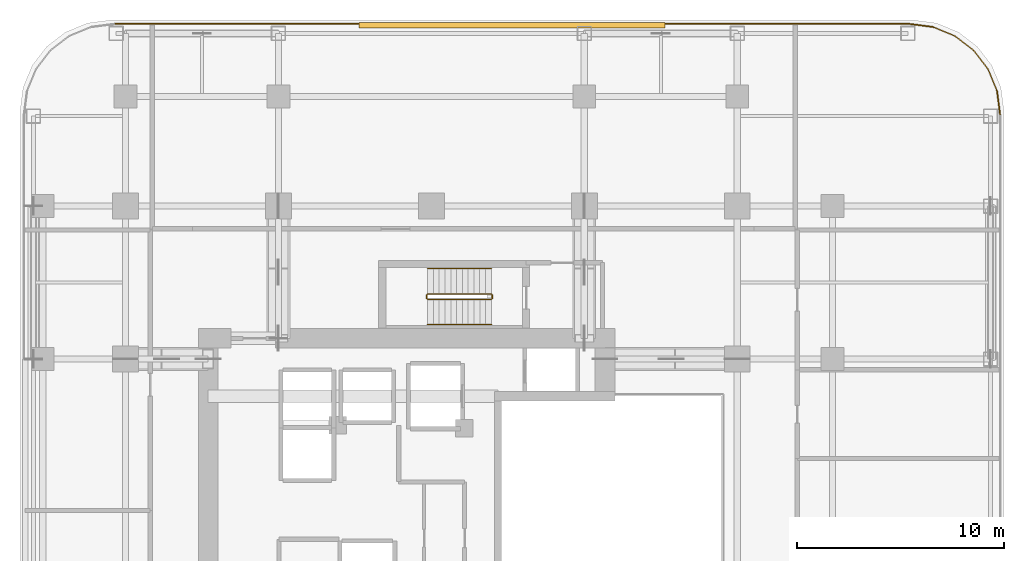
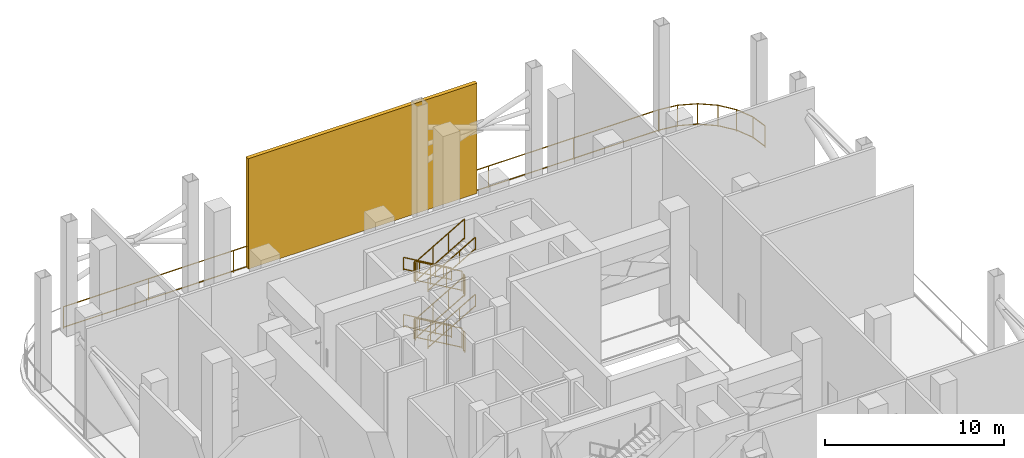
# One storey, part 10 of 10: 19 railings, 1 shading device.
"""IFC4 building model written with IfcOpenShell, lengths in metres."""

from ifc_helpers import new_model, si_unit, direction, frame, origin, origin_2d, place, context, subcontext, project, spatial, rectangle, extrude, material, layer, layer_set, type_object, element, save


model = new_model("IFC4")

# Units and contexts
model_context = context("Model", 3, precision=1e-05, world=origin(), true_north=direction((0.0, 1.0)))
body_context = subcontext(model_context, "Body", "Model", "MODEL_VIEW")
ifc_project = project(units=[si_unit("LENGTHUNIT", "METRE"), si_unit("AREAUNIT", "SQUARE_METRE"), si_unit("VOLUMEUNIT", "CUBIC_METRE"), si_unit("PLANEANGLEUNIT", "RADIAN"), si_unit("MASSUNIT", "GRAM", prefix="KILO")], contexts=[model_context])

# Site, building, storey
site_placement = place(None, origin())
site = spatial("IfcSite", under=ifc_project, at=site_placement, CompositionType="ELEMENT")
building_placement = place(site_placement, origin())
building = spatial("IfcBuilding", under=site, at=building_placement, Name="Khorvyn Point Tower", CompositionType="ELEMENT")
storey_placement = place(building_placement, frame((0.0, 0.0, 156.300048828125)))
storey = spatial("IfcBuildingStorey", under=building, at=storey_placement, Name="L39", CompositionType="ELEMENT", Elevation=156.300048828125)

# Shading device
ifc_material_1 = material(Name="Pale anodised aluminium 6063-T6", Category="aluminium")
ifc_layer = layer(ifc_material_1, 0.25)
ifc_layer_set = layer_set([ifc_layer], Name="Acoustic Hurricane-Louvre Plant Screen")
shading_device_type = type_object("IfcShadingDeviceType", Name="Acoustic Hurricane-Louvre Plant Screen", PredefinedType="JALOUSIE", material=ifc_layer_set)
shading_device_placement = place(storey_placement, frame((3.89990234375, 23.550048828125, 0.02001953125), z_axis=(0.0, 0.0, 1.0), x_axis=(1.0, 0.0, 0.0)))
element("IfcShadingDevice", 1, at=shading_device_placement, inside=storey, type_object=shading_device_type, Name="L39 Acoustic Hurricane Plant Louvre N", PredefinedType="JALOUSIE", context=body_context, shape_type="SweptSolid", body=[
    extrude(rectangle(XDim=14.800048828125, YDim=0.25, at=origin_2d()), origin(), (0.0, 0.0, 1.0), 7.5400390625),
])

# Railings
ifc_material_2 = material(Name="Stainless steel 1.4401", Category="steel")
railing_type_1 = type_object("IfcRailingType", Name="School Terrace Anti-Climb Safety Guardrail 1500", PredefinedType="GUARDRAIL", material=ifc_material_2)
railing_1_placement = place(storey_placement, frame((27.509521484375, 19.244873046875, 0.0)))
element("IfcRailing", 2, at=railing_1_placement, inside=storey, type_object=railing_type_1, Name="L39 Open Wind-Floor Perimeter Guardrail 08", PredefinedType="GUARDRAIL", context=body_context, shape_type="SweptSolid", body=[
    extrude(rectangle(XDim=0.048095703125, YDim=0.048095703125, at=origin_2d()), frame((0.0, 0.0, 1.47607421875), z_axis=(-0.130493312389, 0.991449189531, 0.0), x_axis=(-0.991449189531, -0.130493312389, 0.0)), (0.0, 0.0, 1.0), 1.139404296875),
    extrude(rectangle(XDim=0.048095703125, YDim=0.048095703125, at=origin_2d()), frame((0.0, 0.0, 0.080078125), z_axis=(-0.130493312389, 0.991449189531, 0.0), x_axis=(-0.991449189531, -0.130493312389, 0.0)), (0.0, 0.0, 1.0), 1.139404296875),
    extrude(rectangle(XDim=0.0419921875, YDim=0.0419921875, at=origin_2d()), origin(), (0.0, 0.0, 1.0), 1.451904296875),
    extrude(rectangle(XDim=0.0419921875, YDim=0.0419921875, at=origin_2d()), frame((-0.148681640625, 1.129638671875, 0.0)), (0.0, 0.0, 1.0), 1.451904296875),
])
railing_2_placement = place(storey_placement, frame((27.36083984375, 20.37451171875, 0.0)))
element("IfcRailing", 3, at=railing_2_placement, inside=storey, type_object=railing_type_1, Name="L39 Open Wind-Floor Perimeter Guardrail 09", PredefinedType="GUARDRAIL", context=body_context, shape_type="SweptSolid", body=[
    extrude(rectangle(XDim=0.048095703125, YDim=0.048095703125, at=origin_2d()), frame((0.0, 0.0, 1.47607421875), z_axis=(-0.382667177599, 0.923886265288, 0.0), x_axis=(-0.923886265288, -0.382667177599, 0.0)), (0.0, 0.0, 1.0), 1.139404296875),
    extrude(rectangle(XDim=0.048095703125, YDim=0.048095703125, at=origin_2d()), frame((0.0, 0.0, 0.080078125), z_axis=(-0.382667177599, 0.923886265288, 0.0), x_axis=(-0.923886265288, -0.382667177599, 0.0)), (0.0, 0.0, 1.0), 1.139404296875),
    extrude(rectangle(XDim=0.0419921875, YDim=0.0419921875, at=origin_2d()), origin(), (0.0, 0.0, 1.0), 1.451904296875),
    extrude(rectangle(XDim=0.0419921875, YDim=0.0419921875, at=origin_2d()), frame((-0.43603515625, 1.052734375, 0.0)), (0.0, 0.0, 1.0), 1.451904296875),
])
railing_3_placement = place(storey_placement, frame((26.9248046875, 21.42724609375, 0.0)))
element("IfcRailing", 4, at=railing_3_placement, inside=storey, type_object=railing_type_1, Name="L39 Open Wind-Floor Perimeter Guardrail 10", PredefinedType="GUARDRAIL", context=body_context, shape_type="SweptSolid", body=[
    extrude(rectangle(XDim=0.048095703125, YDim=0.048095703125, at=origin_2d()), frame((0.0, 0.0, 1.47607421875), z_axis=(-0.608705888985, 0.793395954562, 0.0), x_axis=(-0.793395954562, -0.608705888985, 0.0)), (0.0, 0.0, 1.0), 1.139404296875),
    extrude(rectangle(XDim=0.048095703125, YDim=0.048095703125, at=origin_2d()), frame((0.0, 0.0, 0.080078125), z_axis=(-0.608705888985, 0.793395954562, 0.0), x_axis=(-0.793395954562, -0.608705888985, 0.0)), (0.0, 0.0, 1.0), 1.139404296875),
    extrude(rectangle(XDim=0.0419921875, YDim=0.0419921875, at=origin_2d()), origin(), (0.0, 0.0, 1.0), 1.451904296875),
    extrude(rectangle(XDim=0.0419921875, YDim=0.0419921875, at=origin_2d()), frame((-0.693603515625, 0.904052734375, 0.0)), (0.0, 0.0, 1.0), 1.451904296875),
])
railing_4_placement = place(storey_placement, frame((26.231201171875, 22.331298828125, 0.0)))
element("IfcRailing", 5, at=railing_4_placement, inside=storey, type_object=railing_type_1, Name="L39 Open Wind-Floor Perimeter Guardrail 11", PredefinedType="GUARDRAIL", context=body_context, shape_type="SweptSolid", body=[
    extrude(rectangle(XDim=0.048095703125, YDim=0.048095703125, at=origin_2d()), frame((0.0, 0.0, 1.47607421875), z_axis=(-0.793395954562, 0.608705888985, 0.0), x_axis=(-0.608705888985, -0.793395954562, 0.0)), (0.0, 0.0, 1.0), 1.139404296875),
    extrude(rectangle(XDim=0.048095703125, YDim=0.048095703125, at=origin_2d()), frame((0.0, 0.0, 0.080078125), z_axis=(-0.793395954562, 0.608705888985, 0.0), x_axis=(-0.608705888985, -0.793395954562, 0.0)), (0.0, 0.0, 1.0), 1.139404296875),
    extrude(rectangle(XDim=0.0419921875, YDim=0.0419921875, at=origin_2d()), origin(), (0.0, 0.0, 1.0), 1.451904296875),
    extrude(rectangle(XDim=0.0419921875, YDim=0.0419921875, at=origin_2d()), frame((-0.904052734375, 0.693603515625, 0.0)), (0.0, 0.0, 1.0), 1.451904296875),
])
railing_5_placement = place(storey_placement, frame((25.3271484375, 23.02490234375, 0.0)))
element("IfcRailing", 6, at=railing_5_placement, inside=storey, type_object=railing_type_1, Name="L39 Open Wind-Floor Perimeter Guardrail 12", PredefinedType="GUARDRAIL", context=body_context, shape_type="SweptSolid", body=[
    extrude(rectangle(XDim=0.048095703125, YDim=0.048095703125, at=origin_2d()), frame((0.0, 0.0, 1.47607421875), z_axis=(-0.923886265288, 0.382667177599, 0.0), x_axis=(-0.382667177599, -0.923886265288, 0.0)), (0.0, 0.0, 1.0), 1.139404296875),
    extrude(rectangle(XDim=0.048095703125, YDim=0.048095703125, at=origin_2d()), frame((0.0, 0.0, 0.080078125), z_axis=(-0.923886265288, 0.382667177599, 0.0), x_axis=(-0.382667177599, -0.923886265288, 0.0)), (0.0, 0.0, 1.0), 1.139404296875),
    extrude(rectangle(XDim=0.0419921875, YDim=0.0419921875, at=origin_2d()), origin(), (0.0, 0.0, 1.0), 1.451904296875),
    extrude(rectangle(XDim=0.0419921875, YDim=0.0419921875, at=origin_2d()), frame((-1.052734375, 0.43603515625, 0.0)), (0.0, 0.0, 1.0), 1.451904296875),
])
railing_6_placement = place(storey_placement, frame((24.2744140625, 23.4609375, 0.0)))
element("IfcRailing", 7, at=railing_6_placement, inside=storey, type_object=railing_type_1, Name="L39 Open Wind-Floor Perimeter Guardrail 13", PredefinedType="GUARDRAIL", context=body_context, shape_type="SweptSolid", body=[
    extrude(rectangle(XDim=0.048095703125, YDim=0.048095703125, at=origin_2d()), frame((0.0, 0.0, 1.47607421875), z_axis=(-0.991449189531, 0.130493312389, 0.0), x_axis=(-0.130493312389, -0.991449189531, 0.0)), (0.0, 0.0, 1.0), 1.139404296875),
    extrude(rectangle(XDim=0.048095703125, YDim=0.048095703125, at=origin_2d()), frame((0.0, 0.0, 0.080078125), z_axis=(-0.991449189531, 0.130493312389, 0.0), x_axis=(-0.130493312389, -0.991449189531, 0.0)), (0.0, 0.0, 1.0), 1.139404296875),
    extrude(rectangle(XDim=0.0419921875, YDim=0.0419921875, at=origin_2d()), origin(), (0.0, 0.0, 1.0), 1.451904296875),
    extrude(rectangle(XDim=0.0419921875, YDim=0.0419921875, at=origin_2d()), frame((-1.129638671875, 0.148681640625, 0.0)), (0.0, 0.0, 1.0), 1.451904296875),
])
railing_7_placement = place(storey_placement, frame((23.144775390625, 23.609619140625, 0.0)))
element("IfcRailing", 8, at=railing_7_placement, inside=storey, type_object=railing_type_1, Name="L39 Open Wind-Floor Perimeter Guardrail 14", PredefinedType="GUARDRAIL", context=body_context, shape_type="SweptSolid", body=[
    extrude(rectangle(XDim=0.048095703125, YDim=0.048095703125, at=origin_2d()), frame((0.0, 0.0, 1.47607421875), z_axis=(-1.0, 0.0, 0.0), x_axis=(0.0, -1.0, 0.0)), (0.0, 0.0, 1.0), 38.489501953125),
    extrude(rectangle(XDim=0.048095703125, YDim=0.048095703125, at=origin_2d()), frame((0.0, 0.0, 0.080078125), z_axis=(-1.0, 0.0, 0.0), x_axis=(0.0, -1.0, 0.0)), (0.0, 0.0, 1.0), 38.489501953125),
    extrude(rectangle(XDim=0.0419921875, YDim=0.0419921875, at=origin_2d()), origin(), (0.0, 0.0, 1.0), 1.451904296875),
    extrude(rectangle(XDim=0.0419921875, YDim=0.0419921875, at=origin_2d()), frame((-5.49853515625, 0.0, 0.0)), (0.0, 0.0, 1.0), 1.451904296875),
    extrude(rectangle(XDim=0.0419921875, YDim=0.0419921875, at=origin_2d()), frame((-10.9970703125, 0.0, 0.0)), (0.0, 0.0, 1.0), 1.451904296875),
    extrude(rectangle(XDim=0.0419921875, YDim=0.0419921875, at=origin_2d()), frame((-16.49560546875, 0.0, 0.0)), (0.0, 0.0, 1.0), 1.451904296875),
    extrude(rectangle(XDim=0.0419921875, YDim=0.0419921875, at=origin_2d()), frame((-21.993896484375, 0.0, 0.0)), (0.0, 0.0, 1.0), 1.451904296875),
    extrude(rectangle(XDim=0.0419921875, YDim=0.0419921875, at=origin_2d()), frame((-27.492431640625, 0.0, 0.0)), (0.0, 0.0, 1.0), 1.451904296875),
    extrude(rectangle(XDim=0.0419921875, YDim=0.0419921875, at=origin_2d()), frame((-32.990966796875, 0.0, 0.0)), (0.0, 0.0, 1.0), 1.451904296875),
    extrude(rectangle(XDim=0.0419921875, YDim=0.0419921875, at=origin_2d()), frame((-38.489501953125, 0.0, 0.0)), (0.0, 0.0, 1.0), 1.451904296875),
])
ifc_material_3 = material(Name="Stainless steel 1.4301", Category="steel")
railing_type_2 = type_object("IfcRailingType", Name="Stainless Steel 304 Stair Pitch Handrail 900", PredefinedType="HANDRAIL", material=ifc_material_3)
railing_8_placement = place(storey_placement, frame((2.89990234375, 11.77001953125, 0.162353515625)))
element("IfcRailing", 9, at=railing_8_placement, inside=storey, type_object=railing_type_2, Name="L39 ST-02 stair handrail 1", PredefinedType="HANDRAIL", context=body_context, shape_type="SweptSolid", body=[
    extrude(rectangle(XDim=0.048095703125, YDim=0.048095703125, at=origin_2d()), frame((0.0, 0.0, 0.8759765625), z_axis=(-0.864873446163, 0.0, 0.501989962173), x_axis=(0.0, -1.0, 0.0)), (0.0, 0.0, 1.0), 3.56103515625),
    extrude(rectangle(XDim=0.048095703125, YDim=0.048095703125, at=origin_2d()), frame((0.0, 0.0, 0.080078125), z_axis=(-0.864873446163, 0.0, 0.501989962173), x_axis=(0.0, -1.0, 0.0)), (0.0, 0.0, 1.0), 3.56103515625),
    extrude(rectangle(XDim=0.0419921875, YDim=0.0419921875, at=origin_2d()), origin(), (0.0, 0.0, 1.0), 0.851806640625),
    extrude(rectangle(XDim=0.0419921875, YDim=0.0419921875, at=origin_2d()), frame((-1.026611328125, 0.0, 0.595947265625)), (0.0, 0.0, 1.0), 0.851806640625),
    extrude(rectangle(XDim=0.0419921875, YDim=0.0419921875, at=origin_2d()), frame((-2.05322265625, 0.0, 1.191650390625)), (0.0, 0.0, 1.0), 0.851806640625),
    extrude(rectangle(XDim=0.0419921875, YDim=0.0419921875, at=origin_2d()), frame((-3.079833984375, 0.0, 1.78759765625)), (0.0, 0.0, 1.0), 0.851806640625),
])
railing_9_placement = place(storey_placement, frame((-0.179931640625, 9.070068359375, 2.112548828125)))
element("IfcRailing", 10, at=railing_9_placement, inside=storey, type_object=railing_type_2, Name="L39 ST-02 stair handrail 2", PredefinedType="HANDRAIL", context=body_context, shape_type="SweptSolid", body=[
    extrude(rectangle(XDim=0.048095703125, YDim=0.048095703125, at=origin_2d()), frame((0.0, 0.0, 0.8759765625), z_axis=(0.864903211148, 0.0, 0.501938676878), x_axis=(0.0, 1.0, 0.0)), (0.0, 0.0, 1.0), 3.560791015625),
    extrude(rectangle(XDim=0.048095703125, YDim=0.048095703125, at=origin_2d()), frame((0.0, 0.0, 0.080078125), z_axis=(0.864903211148, 0.0, 0.501938676878), x_axis=(0.0, 1.0, 0.0)), (0.0, 0.0, 1.0), 3.560791015625),
    extrude(rectangle(XDim=0.0419921875, YDim=0.0419921875, at=origin_2d()), origin(), (0.0, 0.0, 1.0), 0.851806640625),
    extrude(rectangle(XDim=0.0419921875, YDim=0.0419921875, at=origin_2d()), frame((1.026611328125, 0.0, 0.595703125)), (0.0, 0.0, 1.0), 0.851806640625),
    extrude(rectangle(XDim=0.0419921875, YDim=0.0419921875, at=origin_2d()), frame((2.05322265625, 0.0, 1.191650390625)), (0.0, 0.0, 1.0), 0.851806640625),
    extrude(rectangle(XDim=0.0419921875, YDim=0.0419921875, at=origin_2d()), frame((3.079833984375, 0.0, 1.787353515625)), (0.0, 0.0, 1.0), 0.851806640625),
])
railing_10_placement = place(storey_placement, frame((2.89990234375, 11.77001953125, 4.0625)))
element("IfcRailing", 11, at=railing_10_placement, inside=storey, type_object=railing_type_2, Name="L39 ST-02 stair handrail 3", PredefinedType="HANDRAIL", context=body_context, shape_type="SweptSolid", body=[
    extrude(rectangle(XDim=0.048095703125, YDim=0.048095703125, at=origin_2d()), frame((0.0, 0.0, 0.8759765625), z_axis=(-0.864903211148, 0.0, 0.501938676878), x_axis=(0.0, -1.0, 0.0)), (0.0, 0.0, 1.0), 3.560791015625),
    extrude(rectangle(XDim=0.048095703125, YDim=0.048095703125, at=origin_2d()), frame((0.0, 0.0, 0.080078125), z_axis=(-0.864903211148, 0.0, 0.501938676878), x_axis=(0.0, -1.0, 0.0)), (0.0, 0.0, 1.0), 3.560791015625),
    extrude(rectangle(XDim=0.0419921875, YDim=0.0419921875, at=origin_2d()), origin(), (0.0, 0.0, 1.0), 0.851806640625),
    extrude(rectangle(XDim=0.0419921875, YDim=0.0419921875, at=origin_2d()), frame((-1.026611328125, 0.0, 0.595703125)), (0.0, 0.0, 1.0), 0.851806640625),
    extrude(rectangle(XDim=0.0419921875, YDim=0.0419921875, at=origin_2d()), frame((-2.05322265625, 0.0, 1.191650390625)), (0.0, 0.0, 1.0), 0.851806640625),
    extrude(rectangle(XDim=0.0419921875, YDim=0.0419921875, at=origin_2d()), frame((-3.079833984375, 0.0, 1.787353515625)), (0.0, 0.0, 1.0), 0.851806640625),
])
railing_11_placement = place(storey_placement, frame((-0.179931640625, 9.070068359375, 6.012451171875)))
element("IfcRailing", 12, at=railing_11_placement, inside=storey, type_object=railing_type_2, Name="L39 ST-02 stair handrail 4", PredefinedType="HANDRAIL", context=body_context, shape_type="SweptSolid", body=[
    extrude(rectangle(XDim=0.048095703125, YDim=0.048095703125, at=origin_2d()), frame((0.0, 0.0, 0.8759765625), z_axis=(0.864873446163, 0.0, 0.501989962173), x_axis=(0.0, 1.0, 0.0)), (0.0, 0.0, 1.0), 3.56103515625),
    extrude(rectangle(XDim=0.048095703125, YDim=0.048095703125, at=origin_2d()), frame((0.0, 0.0, 0.080078125), z_axis=(0.864873446163, 0.0, 0.501989962173), x_axis=(0.0, 1.0, 0.0)), (0.0, 0.0, 1.0), 3.56103515625),
    extrude(rectangle(XDim=0.0419921875, YDim=0.0419921875, at=origin_2d()), origin(), (0.0, 0.0, 1.0), 0.851806640625),
    extrude(rectangle(XDim=0.0419921875, YDim=0.0419921875, at=origin_2d()), frame((1.026611328125, 0.0, 0.595947265625)), (0.0, 0.0, 1.0), 0.851806640625),
    extrude(rectangle(XDim=0.0419921875, YDim=0.0419921875, at=origin_2d()), frame((2.05322265625, 0.0, 1.191650390625)), (0.0, 0.0, 1.0), 0.851806640625),
    extrude(rectangle(XDim=0.0419921875, YDim=0.0419921875, at=origin_2d()), frame((3.079833984375, 0.0, 1.78759765625)), (0.0, 0.0, 1.0), 0.851806640625),
])
railing_type_3 = type_object("IfcRailingType", Name="Stainless Steel 304 Stair Well Guardrail 1400", PredefinedType="GUARDRAIL", material=ifc_material_3)
railing_12_placement = place(storey_placement, frame((2.89990234375, 10.550048828125, 0.162353515625)))
element("IfcRailing", 13, at=railing_12_placement, inside=storey, type_object=railing_type_3, Name="L39 ST-02 stair guard 1", PredefinedType="GUARDRAIL", context=body_context, shape_type="SweptSolid", body=[
    extrude(rectangle(XDim=0.048095703125, YDim=0.048095703125, at=origin_2d()), frame((0.0, 0.0, 1.3759765625), z_axis=(-0.864873446163, 0.0, 0.501989962173), x_axis=(0.0, -1.0, 0.0)), (0.0, 0.0, 1.0), 3.56103515625),
    extrude(rectangle(XDim=0.048095703125, YDim=0.048095703125, at=origin_2d()), frame((0.0, 0.0, 0.080078125), z_axis=(-0.864873446163, 0.0, 0.501989962173), x_axis=(0.0, -1.0, 0.0)), (0.0, 0.0, 1.0), 3.56103515625),
    extrude(rectangle(XDim=0.0419921875, YDim=0.0419921875, at=origin_2d()), origin(), (0.0, 0.0, 1.0), 1.351806640625),
    extrude(rectangle(XDim=0.0419921875, YDim=0.0419921875, at=origin_2d()), frame((-1.026611328125, 0.0, 0.595947265625)), (0.0, 0.0, 1.0), 1.351806640625),
    extrude(rectangle(XDim=0.0419921875, YDim=0.0419921875, at=origin_2d()), frame((-2.05322265625, 0.0, 1.191650390625)), (0.0, 0.0, 1.0), 1.351806640625),
    extrude(rectangle(XDim=0.0419921875, YDim=0.0419921875, at=origin_2d()), frame((-3.079833984375, 0.0, 1.78759765625)), (0.0, 0.0, 1.0), 1.351806640625),
])
railing_13_placement = place(storey_placement, frame((-0.22998046875, 10.5, 1.949951171875)))
element("IfcRailing", 14, at=railing_13_placement, inside=storey, type_object=railing_type_3, Name="L39 ST-02 stair guard 2", PredefinedType="GUARDRAIL", context=body_context, shape_type="SweptSolid", body=[
    extrude(rectangle(XDim=0.048095703125, YDim=0.048095703125, at=origin_2d()), frame((0.0, 0.0, 1.3759765625), z_axis=(0.0, -1.0, 0.0), x_axis=(1.0, 0.0, 0.0)), (0.0, 0.0, 1.0), 0.159912109375),
    extrude(rectangle(XDim=0.048095703125, YDim=0.048095703125, at=origin_2d()), frame((0.0, 0.0, 0.080078125), z_axis=(0.0, -1.0, 0.0), x_axis=(1.0, 0.0, 0.0)), (0.0, 0.0, 1.0), 0.159912109375),
    extrude(rectangle(XDim=0.0419921875, YDim=0.0419921875, at=origin_2d()), origin(), (0.0, 0.0, 1.0), 1.351806640625),
    extrude(rectangle(XDim=0.0419921875, YDim=0.0419921875, at=origin_2d()), frame((0.0, -0.159912109375, 0.0)), (0.0, 0.0, 1.0), 1.351806640625),
])
railing_14_placement = place(storey_placement, frame((-0.179931640625, 10.2900390625, 2.112548828125)))
element("IfcRailing", 15, at=railing_14_placement, inside=storey, type_object=railing_type_3, Name="L39 ST-02 stair guard 3", PredefinedType="GUARDRAIL", context=body_context, shape_type="SweptSolid", body=[
    extrude(rectangle(XDim=0.048095703125, YDim=0.048095703125, at=origin_2d()), frame((0.0, 0.0, 1.3759765625), z_axis=(0.864903211148, 0.0, 0.501938676878), x_axis=(0.0, 1.0, 0.0)), (0.0, 0.0, 1.0), 3.560791015625),
    extrude(rectangle(XDim=0.048095703125, YDim=0.048095703125, at=origin_2d()), frame((0.0, 0.0, 0.080078125), z_axis=(0.864903211148, 0.0, 0.501938676878), x_axis=(0.0, 1.0, 0.0)), (0.0, 0.0, 1.0), 3.560791015625),
    extrude(rectangle(XDim=0.0419921875, YDim=0.0419921875, at=origin_2d()), origin(), (0.0, 0.0, 1.0), 1.351806640625),
    extrude(rectangle(XDim=0.0419921875, YDim=0.0419921875, at=origin_2d()), frame((1.026611328125, 0.0, 0.595703125)), (0.0, 0.0, 1.0), 1.351806640625),
    extrude(rectangle(XDim=0.0419921875, YDim=0.0419921875, at=origin_2d()), frame((2.05322265625, 0.0, 1.191650390625)), (0.0, 0.0, 1.0), 1.351806640625),
    extrude(rectangle(XDim=0.0419921875, YDim=0.0419921875, at=origin_2d()), frame((3.079833984375, 0.0, 1.787353515625)), (0.0, 0.0, 1.0), 1.351806640625),
])
railing_15_placement = place(storey_placement, frame((2.949951171875, 10.5, 3.89990234375)))
element("IfcRailing", 16, at=railing_15_placement, inside=storey, type_object=railing_type_3, Name="L39 ST-02 stair guard 4", PredefinedType="GUARDRAIL", context=body_context, shape_type="SweptSolid", body=[
    extrude(rectangle(XDim=0.048095703125, YDim=0.048095703125, at=origin_2d()), frame((0.0, 0.0, 1.3759765625), z_axis=(0.0, -1.0, 0.0), x_axis=(1.0, 0.0, 0.0)), (0.0, 0.0, 1.0), 0.159912109375),
    extrude(rectangle(XDim=0.048095703125, YDim=0.048095703125, at=origin_2d()), frame((0.0, 0.0, 0.080078125), z_axis=(0.0, -1.0, 0.0), x_axis=(1.0, 0.0, 0.0)), (0.0, 0.0, 1.0), 0.159912109375),
    extrude(rectangle(XDim=0.0419921875, YDim=0.0419921875, at=origin_2d()), origin(), (0.0, 0.0, 1.0), 1.351806640625),
    extrude(rectangle(XDim=0.0419921875, YDim=0.0419921875, at=origin_2d()), frame((0.0, -0.159912109375, 0.0)), (0.0, 0.0, 1.0), 1.351806640625),
])
railing_16_placement = place(storey_placement, frame((2.89990234375, 10.550048828125, 4.0625)))
element("IfcRailing", 17, at=railing_16_placement, inside=storey, type_object=railing_type_3, Name="L39 ST-02 stair guard 5", PredefinedType="GUARDRAIL", context=body_context, shape_type="SweptSolid", body=[
    extrude(rectangle(XDim=0.048095703125, YDim=0.048095703125, at=origin_2d()), frame((0.0, 0.0, 1.3759765625), z_axis=(-0.864903211148, 0.0, 0.501938676878), x_axis=(0.0, -1.0, 0.0)), (0.0, 0.0, 1.0), 3.560791015625),
    extrude(rectangle(XDim=0.048095703125, YDim=0.048095703125, at=origin_2d()), frame((0.0, 0.0, 0.080078125), z_axis=(-0.864903211148, 0.0, 0.501938676878), x_axis=(0.0, -1.0, 0.0)), (0.0, 0.0, 1.0), 3.560791015625),
    extrude(rectangle(XDim=0.0419921875, YDim=0.0419921875, at=origin_2d()), origin(), (0.0, 0.0, 1.0), 1.351806640625),
    extrude(rectangle(XDim=0.0419921875, YDim=0.0419921875, at=origin_2d()), frame((-1.026611328125, 0.0, 0.595703125)), (0.0, 0.0, 1.0), 1.351806640625),
    extrude(rectangle(XDim=0.0419921875, YDim=0.0419921875, at=origin_2d()), frame((-2.05322265625, 0.0, 1.191650390625)), (0.0, 0.0, 1.0), 1.351806640625),
    extrude(rectangle(XDim=0.0419921875, YDim=0.0419921875, at=origin_2d()), frame((-3.079833984375, 0.0, 1.787353515625)), (0.0, 0.0, 1.0), 1.351806640625),
])
railing_17_placement = place(storey_placement, frame((-0.22998046875, 10.5, 5.849853515625)))
element("IfcRailing", 18, at=railing_17_placement, inside=storey, type_object=railing_type_3, Name="L39 ST-02 stair guard 6", PredefinedType="GUARDRAIL", context=body_context, shape_type="SweptSolid", body=[
    extrude(rectangle(XDim=0.048095703125, YDim=0.048095703125, at=origin_2d()), frame((0.0, 0.0, 1.3759765625), z_axis=(0.0, -1.0, 0.0), x_axis=(1.0, 0.0, 0.0)), (0.0, 0.0, 1.0), 0.159912109375),
    extrude(rectangle(XDim=0.048095703125, YDim=0.048095703125, at=origin_2d()), frame((0.0, 0.0, 0.080078125), z_axis=(0.0, -1.0, 0.0), x_axis=(1.0, 0.0, 0.0)), (0.0, 0.0, 1.0), 0.159912109375),
    extrude(rectangle(XDim=0.0419921875, YDim=0.0419921875, at=origin_2d()), origin(), (0.0, 0.0, 1.0), 1.351806640625),
    extrude(rectangle(XDim=0.0419921875, YDim=0.0419921875, at=origin_2d()), frame((0.0, -0.159912109375, 0.0)), (0.0, 0.0, 1.0), 1.351806640625),
])
railing_18_placement = place(storey_placement, frame((-0.179931640625, 10.2900390625, 6.012451171875)))
element("IfcRailing", 19, at=railing_18_placement, inside=storey, type_object=railing_type_3, Name="L39 ST-02 stair guard 7", PredefinedType="GUARDRAIL", context=body_context, shape_type="SweptSolid", body=[
    extrude(rectangle(XDim=0.048095703125, YDim=0.048095703125, at=origin_2d()), frame((0.0, 0.0, 1.3759765625), z_axis=(0.864873446163, 0.0, 0.501989962173), x_axis=(0.0, 1.0, 0.0)), (0.0, 0.0, 1.0), 3.56103515625),
    extrude(rectangle(XDim=0.048095703125, YDim=0.048095703125, at=origin_2d()), frame((0.0, 0.0, 0.080078125), z_axis=(0.864873446163, 0.0, 0.501989962173), x_axis=(0.0, 1.0, 0.0)), (0.0, 0.0, 1.0), 3.56103515625),
    extrude(rectangle(XDim=0.0419921875, YDim=0.0419921875, at=origin_2d()), origin(), (0.0, 0.0, 1.0), 1.351806640625),
    extrude(rectangle(XDim=0.0419921875, YDim=0.0419921875, at=origin_2d()), frame((1.026611328125, 0.0, 0.595947265625)), (0.0, 0.0, 1.0), 1.351806640625),
    extrude(rectangle(XDim=0.0419921875, YDim=0.0419921875, at=origin_2d()), frame((2.05322265625, 0.0, 1.191650390625)), (0.0, 0.0, 1.0), 1.351806640625),
    extrude(rectangle(XDim=0.0419921875, YDim=0.0419921875, at=origin_2d()), frame((3.079833984375, 0.0, 1.78759765625)), (0.0, 0.0, 1.0), 1.351806640625),
])
railing_19_placement = place(storey_placement, frame((2.949951171875, 10.5, 0.0)))
element("IfcRailing", 20, at=railing_19_placement, inside=storey, type_object=railing_type_3, Name="L39 ST-02 stair guard 8", PredefinedType="GUARDRAIL", context=body_context, shape_type="SweptSolid", body=[
    extrude(rectangle(XDim=0.048095703125, YDim=0.048095703125, at=origin_2d()), frame((0.0, 0.0, 1.3759765625), z_axis=(0.0, -1.0, 0.0), x_axis=(1.0, 0.0, 0.0)), (0.0, 0.0, 1.0), 0.159912109375),
    extrude(rectangle(XDim=0.048095703125, YDim=0.048095703125, at=origin_2d()), frame((0.0, 0.0, 0.080078125), z_axis=(0.0, -1.0, 0.0), x_axis=(1.0, 0.0, 0.0)), (0.0, 0.0, 1.0), 0.159912109375),
    extrude(rectangle(XDim=0.0419921875, YDim=0.0419921875, at=origin_2d()), origin(), (0.0, 0.0, 1.0), 1.351806640625),
    extrude(rectangle(XDim=0.0419921875, YDim=0.0419921875, at=origin_2d()), frame((0.0, -0.159912109375, 0.0)), (0.0, 0.0, 1.0), 1.351806640625),
])

save(model, "model.ifc")
